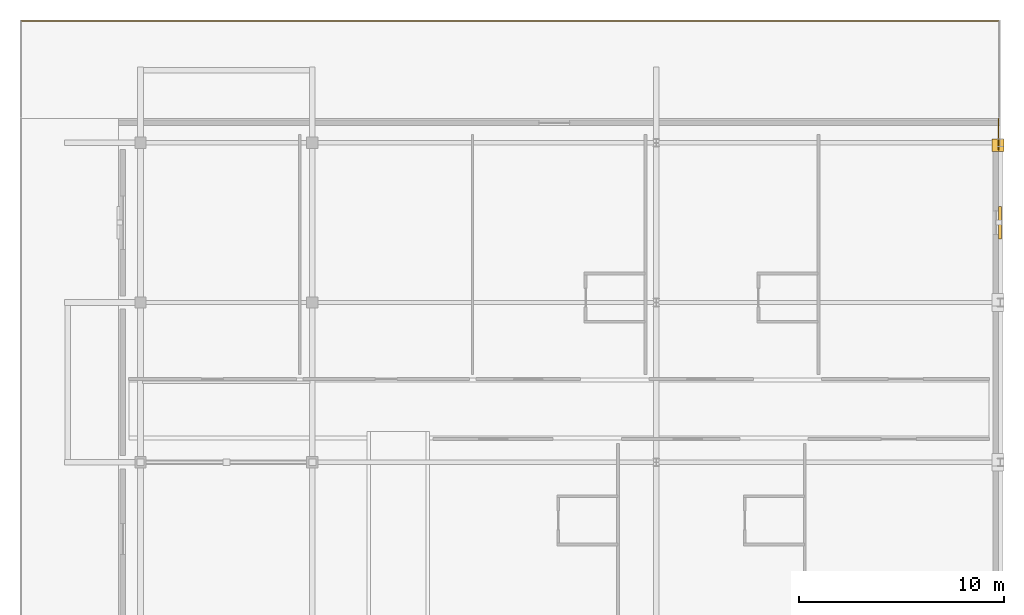
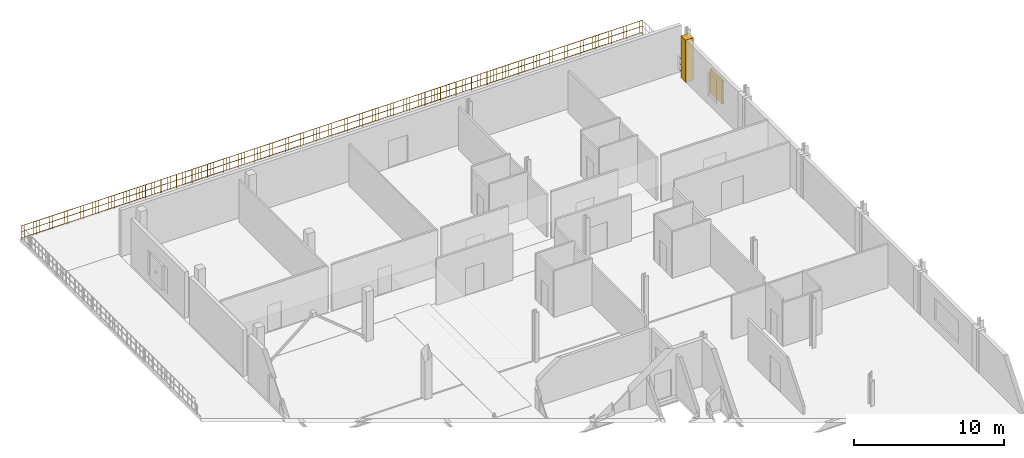
# One storey, part 15 of 16: 2 railings, 1 covering, 1 shading device.
"""IFC4 building model written with IfcOpenShell, lengths in metres."""

from ifc_helpers import new_model, si_unit, direction, frame, origin, origin_2d, place, context, subcontext, project, spatial, polyline, rectangle, circle, outline, extrude, material, layer, layer_set, type_object, element, save


model = new_model("IFC4")

# Units and contexts
model_context = context("Model", 3, precision=1e-05, world=origin(), true_north=direction((0.0, 1.0)))
body_context = subcontext(model_context, "Body", "Model", "MODEL_VIEW")
ifc_project = project(units=[si_unit("LENGTHUNIT", "METRE"), si_unit("AREAUNIT", "SQUARE_METRE"), si_unit("VOLUMEUNIT", "CUBIC_METRE"), si_unit("PLANEANGLEUNIT", "RADIAN"), si_unit("MASSUNIT", "GRAM", prefix="KILO")], contexts=[model_context])

# Site, building, storey
site_placement = place(None, origin())
site = spatial("IfcSite", under=ifc_project, at=site_placement, CompositionType="ELEMENT")
building_placement = place(site_placement, origin())
building = spatial("IfcBuilding", under=site, at=building_placement, Name="Nabrawat Pavilion Hospital", CompositionType="ELEMENT")
storey_placement = place(building_placement, frame((0.0, 0.0, 31.050048828125)))
storey = spatial("IfcBuildingStorey", under=building, at=storey_placement, Name="L07", CompositionType="ELEMENT", Elevation=31.050048828125)

# Covering
ifc_material_1 = material(Name="Precast concrete C40/50", Category="concrete")
ifc_layer_1 = layer(ifc_material_1, 0.360107421875, Name="Precast concrete C40/50")
ifc_layer_set_1 = layer_set([ifc_layer_1], Name="Precast concrete C40/50")
covering_type = type_object("IfcCoveringType", Name="Architectural Precast Column-Jamb Closure Reveal", PredefinedType="CLADDING", material=ifc_layer_set_1)
covering_placement = place(storey_placement, origin())
element("IfcCovering", 1, at=covering_placement, inside=storey, type_object=covering_type, Name="L07 Precast Facade Column-Jamb Weatherseal Closure 0666", PredefinedType="CLADDING", context=body_context, shape_type="SweptSolid", body=[
    extrude(outline(polyline([(193.3798828125, 108.77001953125), (193.3798828125, 109.3798828125), (192.800048828125, 109.3798828125), (192.800048828125, 108.77001953125), (193.3798828125, 108.77001953125)])), origin(), (0.0, 0.0, 1.0), 3.43994140625),
])

# Railings
ifc_material_2 = material(Name="Stainless Steel 316", Category="steel")
ifc_layer_2 = layer(ifc_material_2, 0.070068359375, Name="Stainless Steel 316")
ifc_layer_set_2 = layer_set([ifc_layer_2], Name="Stainless Steel 316")
railing_type = type_object("IfcRailingType", Name="Exterior Clinical Terrace Safety Guardrail 1100", PredefinedType="GUARDRAIL", material=ifc_layer_set_2)
railing_1_placement = place(storey_placement, frame((145.3798828125, 115.139892578125, 0.0)))
element("IfcRailing", 2, at=railing_1_placement, inside=storey, type_object=railing_type, Name="L07 Terrace Edge Safety Guardrail T_L07_WARD_NORTH North", PredefinedType="GUARDRAIL", context=body_context, shape_type="SweptSolid", body=[
    extrude(circle(Radius=0.02392578125, at=origin_2d()), frame((0.0, 0.0, 1.076171875), z_axis=(1.0, 0.0, 0.0), x_axis=(0.0, 1.0, 0.0)), (0.0, 0.0, 1.0), 47.760009765625),
    extrude(circle(Radius=0.02392578125, at=origin_2d()), frame((0.0, 0.0, 0.10009765625), z_axis=(1.0, 0.0, 0.0), x_axis=(0.0, 1.0, 0.0)), (0.0, 0.0, 1.0), 47.760009765625),
    extrude(circle(Radius=0.02392578125, at=origin_2d()), frame((0.0, 0.0, 0.60498046875), z_axis=(1.0, 0.0, 0.0), x_axis=(0.0, 1.0, 0.0)), (0.0, 0.0, 1.0), 47.760009765625),
    extrude(circle(Radius=0.008056640625, at=origin_2d()), frame((0.23876953125, 0.0, 0.10009765625)), (0.0, 0.0, 1.0), 0.951904296875),
    extrude(circle(Radius=0.008056640625, at=origin_2d()), frame((0.4775390625, 0.0, 0.10009765625)), (0.0, 0.0, 1.0), 0.951904296875),
    extrude(circle(Radius=0.008056640625, at=origin_2d()), frame((0.71630859375, 0.0, 0.10009765625)), (0.0, 0.0, 1.0), 0.951904296875),
    extrude(circle(Radius=0.008056640625, at=origin_2d()), frame((0.955078125, 0.0, 0.10009765625)), (0.0, 0.0, 1.0), 0.951904296875),
    extrude(circle(Radius=0.008056640625, at=origin_2d()), frame((1.432861328125, 0.0, 0.10009765625)), (0.0, 0.0, 1.0), 0.951904296875),
    extrude(circle(Radius=0.008056640625, at=origin_2d()), frame((1.671630859375, 0.0, 0.10009765625)), (0.0, 0.0, 1.0), 0.951904296875),
    extrude(circle(Radius=0.008056640625, at=origin_2d()), frame((1.910400390625, 0.0, 0.10009765625)), (0.0, 0.0, 1.0), 0.951904296875),
    extrude(circle(Radius=0.008056640625, at=origin_2d()), frame((2.149169921875, 0.0, 0.10009765625)), (0.0, 0.0, 1.0), 0.951904296875),
    extrude(circle(Radius=0.008056640625, at=origin_2d()), frame((2.626708984375, 0.0, 0.10009765625)), (0.0, 0.0, 1.0), 0.951904296875),
    extrude(circle(Radius=0.008056640625, at=origin_2d()), frame((2.86572265625, 0.0, 0.10009765625)), (0.0, 0.0, 1.0), 0.951904296875),
    extrude(circle(Radius=0.008056640625, at=origin_2d()), frame((3.1044921875, 0.0, 0.10009765625)), (0.0, 0.0, 1.0), 0.951904296875),
    extrude(circle(Radius=0.008056640625, at=origin_2d()), frame((3.34326171875, 0.0, 0.10009765625)), (0.0, 0.0, 1.0), 0.951904296875),
    extrude(circle(Radius=0.008056640625, at=origin_2d()), frame((3.82080078125, 0.0, 0.10009765625)), (0.0, 0.0, 1.0), 0.951904296875),
    extrude(circle(Radius=0.008056640625, at=origin_2d()), frame((4.0595703125, 0.0, 0.10009765625)), (0.0, 0.0, 1.0), 0.951904296875),
    extrude(circle(Radius=0.008056640625, at=origin_2d()), frame((4.29833984375, 0.0, 0.10009765625)), (0.0, 0.0, 1.0), 0.951904296875),
    extrude(circle(Radius=0.008056640625, at=origin_2d()), frame((4.537109375, 0.0, 0.10009765625)), (0.0, 0.0, 1.0), 0.951904296875),
    extrude(circle(Radius=0.008056640625, at=origin_2d()), frame((5.014892578125, 0.0, 0.10009765625)), (0.0, 0.0, 1.0), 0.951904296875),
    extrude(circle(Radius=0.008056640625, at=origin_2d()), frame((5.253662109375, 0.0, 0.10009765625)), (0.0, 0.0, 1.0), 0.951904296875),
    extrude(circle(Radius=0.008056640625, at=origin_2d()), frame((5.492431640625, 0.0, 0.10009765625)), (0.0, 0.0, 1.0), 0.951904296875),
    extrude(circle(Radius=0.008056640625, at=origin_2d()), frame((5.731201171875, 0.0, 0.10009765625)), (0.0, 0.0, 1.0), 0.951904296875),
    extrude(circle(Radius=0.008056640625, at=origin_2d()), frame((6.208740234375, 0.0, 0.10009765625)), (0.0, 0.0, 1.0), 0.951904296875),
    extrude(circle(Radius=0.008056640625, at=origin_2d()), frame((6.447509765625, 0.0, 0.10009765625)), (0.0, 0.0, 1.0), 0.951904296875),
    extrude(circle(Radius=0.008056640625, at=origin_2d()), frame((6.6865234375, 0.0, 0.10009765625)), (0.0, 0.0, 1.0), 0.951904296875),
    extrude(circle(Radius=0.008056640625, at=origin_2d()), frame((6.92529296875, 0.0, 0.10009765625)), (0.0, 0.0, 1.0), 0.951904296875),
    extrude(circle(Radius=0.008056640625, at=origin_2d()), frame((7.40283203125, 0.0, 0.10009765625)), (0.0, 0.0, 1.0), 0.951904296875),
    extrude(circle(Radius=0.008056640625, at=origin_2d()), frame((7.6416015625, 0.0, 0.10009765625)), (0.0, 0.0, 1.0), 0.951904296875),
    extrude(circle(Radius=0.008056640625, at=origin_2d()), frame((7.88037109375, 0.0, 0.10009765625)), (0.0, 0.0, 1.0), 0.951904296875),
    extrude(circle(Radius=0.008056640625, at=origin_2d()), frame((8.119140625, 0.0, 0.10009765625)), (0.0, 0.0, 1.0), 0.951904296875),
    extrude(circle(Radius=0.008056640625, at=origin_2d()), frame((8.5966796875, 0.0, 0.10009765625)), (0.0, 0.0, 1.0), 0.951904296875),
    extrude(circle(Radius=0.008056640625, at=origin_2d()), frame((8.835693359375, 0.0, 0.10009765625)), (0.0, 0.0, 1.0), 0.951904296875),
    extrude(circle(Radius=0.008056640625, at=origin_2d()), frame((9.074462890625, 0.0, 0.10009765625)), (0.0, 0.0, 1.0), 0.951904296875),
    extrude(circle(Radius=0.008056640625, at=origin_2d()), frame((9.313232421875, 0.0, 0.10009765625)), (0.0, 0.0, 1.0), 0.951904296875),
    extrude(circle(Radius=0.008056640625, at=origin_2d()), frame((9.790771484375, 0.0, 0.10009765625)), (0.0, 0.0, 1.0), 0.951904296875),
    extrude(circle(Radius=0.008056640625, at=origin_2d()), frame((10.029541015625, 0.0, 0.10009765625)), (0.0, 0.0, 1.0), 0.951904296875),
    extrude(circle(Radius=0.008056640625, at=origin_2d()), frame((10.268310546875, 0.0, 0.10009765625)), (0.0, 0.0, 1.0), 0.951904296875),
    extrude(circle(Radius=0.008056640625, at=origin_2d()), frame((10.50732421875, 0.0, 0.10009765625)), (0.0, 0.0, 1.0), 0.951904296875),
    extrude(circle(Radius=0.008056640625, at=origin_2d()), frame((10.98486328125, 0.0, 0.10009765625)), (0.0, 0.0, 1.0), 0.951904296875),
    extrude(circle(Radius=0.008056640625, at=origin_2d()), frame((11.2236328125, 0.0, 0.10009765625)), (0.0, 0.0, 1.0), 0.951904296875),
    extrude(circle(Radius=0.008056640625, at=origin_2d()), frame((11.46240234375, 0.0, 0.10009765625)), (0.0, 0.0, 1.0), 0.951904296875),
    extrude(circle(Radius=0.008056640625, at=origin_2d()), frame((11.701171875, 0.0, 0.10009765625)), (0.0, 0.0, 1.0), 0.951904296875),
    extrude(circle(Radius=0.008056640625, at=origin_2d()), frame((12.1787109375, 0.0, 0.10009765625)), (0.0, 0.0, 1.0), 0.951904296875),
    extrude(circle(Radius=0.008056640625, at=origin_2d()), frame((12.41748046875, 0.0, 0.10009765625)), (0.0, 0.0, 1.0), 0.951904296875),
    extrude(circle(Radius=0.008056640625, at=origin_2d()), frame((12.656494140625, 0.0, 0.10009765625)), (0.0, 0.0, 1.0), 0.951904296875),
    extrude(circle(Radius=0.008056640625, at=origin_2d()), frame((12.895263671875, 0.0, 0.10009765625)), (0.0, 0.0, 1.0), 0.951904296875),
    extrude(circle(Radius=0.008056640625, at=origin_2d()), frame((13.372802734375, 0.0, 0.10009765625)), (0.0, 0.0, 1.0), 0.951904296875),
    extrude(circle(Radius=0.008056640625, at=origin_2d()), frame((13.611572265625, 0.0, 0.10009765625)), (0.0, 0.0, 1.0), 0.951904296875),
    extrude(circle(Radius=0.008056640625, at=origin_2d()), frame((13.850341796875, 0.0, 0.10009765625)), (0.0, 0.0, 1.0), 0.951904296875),
    extrude(circle(Radius=0.008056640625, at=origin_2d()), frame((14.089111328125, 0.0, 0.10009765625)), (0.0, 0.0, 1.0), 0.951904296875),
    extrude(circle(Radius=0.008056640625, at=origin_2d()), frame((14.56689453125, 0.0, 0.10009765625)), (0.0, 0.0, 1.0), 0.951904296875),
    extrude(circle(Radius=0.008056640625, at=origin_2d()), frame((14.8056640625, 0.0, 0.10009765625)), (0.0, 0.0, 1.0), 0.951904296875),
    extrude(circle(Radius=0.008056640625, at=origin_2d()), frame((15.04443359375, 0.0, 0.10009765625)), (0.0, 0.0, 1.0), 0.951904296875),
    extrude(circle(Radius=0.008056640625, at=origin_2d()), frame((15.283203125, 0.0, 0.10009765625)), (0.0, 0.0, 1.0), 0.951904296875),
    extrude(circle(Radius=0.008056640625, at=origin_2d()), frame((15.7607421875, 0.0, 0.10009765625)), (0.0, 0.0, 1.0), 0.951904296875),
    extrude(circle(Radius=0.008056640625, at=origin_2d()), frame((15.99951171875, 0.0, 0.10009765625)), (0.0, 0.0, 1.0), 0.951904296875),
    extrude(circle(Radius=0.008056640625, at=origin_2d()), frame((16.23828125, 0.0, 0.10009765625)), (0.0, 0.0, 1.0), 0.951904296875),
    extrude(circle(Radius=0.008056640625, at=origin_2d()), frame((16.477294921875, 0.0, 0.10009765625)), (0.0, 0.0, 1.0), 0.951904296875),
    extrude(circle(Radius=0.008056640625, at=origin_2d()), frame((16.954833984375, 0.0, 0.10009765625)), (0.0, 0.0, 1.0), 0.951904296875),
    extrude(circle(Radius=0.008056640625, at=origin_2d()), frame((17.193603515625, 0.0, 0.10009765625)), (0.0, 0.0, 1.0), 0.951904296875),
    extrude(circle(Radius=0.008056640625, at=origin_2d()), frame((17.432373046875, 0.0, 0.10009765625)), (0.0, 0.0, 1.0), 0.951904296875),
    extrude(circle(Radius=0.008056640625, at=origin_2d()), frame((17.671142578125, 0.0, 0.10009765625)), (0.0, 0.0, 1.0), 0.951904296875),
    extrude(circle(Radius=0.008056640625, at=origin_2d()), frame((18.14892578125, 0.0, 0.10009765625)), (0.0, 0.0, 1.0), 0.951904296875),
    extrude(circle(Radius=0.008056640625, at=origin_2d()), frame((18.3876953125, 0.0, 0.10009765625)), (0.0, 0.0, 1.0), 0.951904296875),
    extrude(circle(Radius=0.008056640625, at=origin_2d()), frame((18.62646484375, 0.0, 0.10009765625)), (0.0, 0.0, 1.0), 0.951904296875),
    extrude(circle(Radius=0.008056640625, at=origin_2d()), frame((18.865234375, 0.0, 0.10009765625)), (0.0, 0.0, 1.0), 0.951904296875),
    extrude(circle(Radius=0.008056640625, at=origin_2d()), frame((19.3427734375, 0.0, 0.10009765625)), (0.0, 0.0, 1.0), 0.951904296875),
    extrude(circle(Radius=0.008056640625, at=origin_2d()), frame((19.58154296875, 0.0, 0.10009765625)), (0.0, 0.0, 1.0), 0.951904296875),
    extrude(circle(Radius=0.008056640625, at=origin_2d()), frame((19.8203125, 0.0, 0.10009765625)), (0.0, 0.0, 1.0), 0.951904296875),
    extrude(circle(Radius=0.008056640625, at=origin_2d()), frame((20.05908203125, 0.0, 0.10009765625)), (0.0, 0.0, 1.0), 0.951904296875),
    extrude(circle(Radius=0.008056640625, at=origin_2d()), frame((20.536865234375, 0.0, 0.10009765625)), (0.0, 0.0, 1.0), 0.951904296875),
    extrude(circle(Radius=0.008056640625, at=origin_2d()), frame((20.775634765625, 0.0, 0.10009765625)), (0.0, 0.0, 1.0), 0.951904296875),
    extrude(circle(Radius=0.008056640625, at=origin_2d()), frame((21.014404296875, 0.0, 0.10009765625)), (0.0, 0.0, 1.0), 0.951904296875),
    extrude(circle(Radius=0.008056640625, at=origin_2d()), frame((21.253173828125, 0.0, 0.10009765625)), (0.0, 0.0, 1.0), 0.951904296875),
    extrude(circle(Radius=0.008056640625, at=origin_2d()), frame((21.730712890625, 0.0, 0.10009765625)), (0.0, 0.0, 1.0), 0.951904296875),
    extrude(circle(Radius=0.008056640625, at=origin_2d()), frame((21.9697265625, 0.0, 0.10009765625)), (0.0, 0.0, 1.0), 0.951904296875),
    extrude(circle(Radius=0.008056640625, at=origin_2d()), frame((22.20849609375, 0.0, 0.10009765625)), (0.0, 0.0, 1.0), 0.951904296875),
    extrude(circle(Radius=0.008056640625, at=origin_2d()), frame((22.447265625, 0.0, 0.10009765625)), (0.0, 0.0, 1.0), 0.951904296875),
    extrude(circle(Radius=0.008056640625, at=origin_2d()), frame((22.9248046875, 0.0, 0.10009765625)), (0.0, 0.0, 1.0), 0.951904296875),
    extrude(circle(Radius=0.008056640625, at=origin_2d()), frame((23.16357421875, 0.0, 0.10009765625)), (0.0, 0.0, 1.0), 0.951904296875),
    extrude(circle(Radius=0.008056640625, at=origin_2d()), frame((23.40234375, 0.0, 0.10009765625)), (0.0, 0.0, 1.0), 0.951904296875),
    extrude(circle(Radius=0.008056640625, at=origin_2d()), frame((23.64111328125, 0.0, 0.10009765625)), (0.0, 0.0, 1.0), 0.951904296875),
    extrude(circle(Radius=0.008056640625, at=origin_2d()), frame((24.118896484375, 0.0, 0.10009765625)), (0.0, 0.0, 1.0), 0.951904296875),
    extrude(circle(Radius=0.008056640625, at=origin_2d()), frame((24.357666015625, 0.0, 0.10009765625)), (0.0, 0.0, 1.0), 0.951904296875),
    extrude(circle(Radius=0.008056640625, at=origin_2d()), frame((24.596435546875, 0.0, 0.10009765625)), (0.0, 0.0, 1.0), 0.951904296875),
    extrude(circle(Radius=0.008056640625, at=origin_2d()), frame((24.835205078125, 0.0, 0.10009765625)), (0.0, 0.0, 1.0), 0.951904296875),
    extrude(circle(Radius=0.008056640625, at=origin_2d()), frame((25.312744140625, 0.0, 0.10009765625)), (0.0, 0.0, 1.0), 0.951904296875),
    extrude(circle(Radius=0.008056640625, at=origin_2d()), frame((25.551513671875, 0.0, 0.10009765625)), (0.0, 0.0, 1.0), 0.951904296875),
    extrude(circle(Radius=0.008056640625, at=origin_2d()), frame((25.79052734375, 0.0, 0.10009765625)), (0.0, 0.0, 1.0), 0.951904296875),
    extrude(circle(Radius=0.008056640625, at=origin_2d()), frame((26.029296875, 0.0, 0.10009765625)), (0.0, 0.0, 1.0), 0.951904296875),
    extrude(circle(Radius=0.008056640625, at=origin_2d()), frame((26.5068359375, 0.0, 0.10009765625)), (0.0, 0.0, 1.0), 0.951904296875),
    extrude(circle(Radius=0.008056640625, at=origin_2d()), frame((26.74560546875, 0.0, 0.10009765625)), (0.0, 0.0, 1.0), 0.951904296875),
    extrude(circle(Radius=0.008056640625, at=origin_2d()), frame((26.984375, 0.0, 0.10009765625)), (0.0, 0.0, 1.0), 0.951904296875),
    extrude(circle(Radius=0.008056640625, at=origin_2d()), frame((27.22314453125, 0.0, 0.10009765625)), (0.0, 0.0, 1.0), 0.951904296875),
    extrude(circle(Radius=0.008056640625, at=origin_2d()), frame((27.70068359375, 0.0, 0.10009765625)), (0.0, 0.0, 1.0), 0.951904296875),
    extrude(circle(Radius=0.008056640625, at=origin_2d()), frame((27.939697265625, 0.0, 0.10009765625)), (0.0, 0.0, 1.0), 0.951904296875),
    extrude(circle(Radius=0.008056640625, at=origin_2d()), frame((28.178466796875, 0.0, 0.10009765625)), (0.0, 0.0, 1.0), 0.951904296875),
    extrude(circle(Radius=0.008056640625, at=origin_2d()), frame((28.417236328125, 0.0, 0.10009765625)), (0.0, 0.0, 1.0), 0.951904296875),
    extrude(circle(Radius=0.008056640625, at=origin_2d()), frame((28.894775390625, 0.0, 0.10009765625)), (0.0, 0.0, 1.0), 0.951904296875),
    extrude(circle(Radius=0.008056640625, at=origin_2d()), frame((29.133544921875, 0.0, 0.10009765625)), (0.0, 0.0, 1.0), 0.951904296875),
    extrude(circle(Radius=0.008056640625, at=origin_2d()), frame((29.372314453125, 0.0, 0.10009765625)), (0.0, 0.0, 1.0), 0.951904296875),
    extrude(circle(Radius=0.008056640625, at=origin_2d()), frame((29.611328125, 0.0, 0.10009765625)), (0.0, 0.0, 1.0), 0.951904296875),
    extrude(circle(Radius=0.008056640625, at=origin_2d()), frame((30.0888671875, 0.0, 0.10009765625)), (0.0, 0.0, 1.0), 0.951904296875),
    extrude(circle(Radius=0.008056640625, at=origin_2d()), frame((30.32763671875, 0.0, 0.10009765625)), (0.0, 0.0, 1.0), 0.951904296875),
    extrude(circle(Radius=0.008056640625, at=origin_2d()), frame((30.56640625, 0.0, 0.10009765625)), (0.0, 0.0, 1.0), 0.951904296875),
    extrude(circle(Radius=0.008056640625, at=origin_2d()), frame((30.80517578125, 0.0, 0.10009765625)), (0.0, 0.0, 1.0), 0.951904296875),
    extrude(circle(Radius=0.008056640625, at=origin_2d()), frame((31.28271484375, 0.0, 0.10009765625)), (0.0, 0.0, 1.0), 0.951904296875),
    extrude(circle(Radius=0.008056640625, at=origin_2d()), frame((31.521484375, 0.0, 0.10009765625)), (0.0, 0.0, 1.0), 0.951904296875),
    extrude(circle(Radius=0.008056640625, at=origin_2d()), frame((31.760498046875, 0.0, 0.10009765625)), (0.0, 0.0, 1.0), 0.951904296875),
    extrude(circle(Radius=0.008056640625, at=origin_2d()), frame((31.999267578125, 0.0, 0.10009765625)), (0.0, 0.0, 1.0), 0.951904296875),
    extrude(circle(Radius=0.008056640625, at=origin_2d()), frame((32.476806640625, 0.0, 0.10009765625)), (0.0, 0.0, 1.0), 0.951904296875),
    extrude(circle(Radius=0.008056640625, at=origin_2d()), frame((32.715576171875, 0.0, 0.10009765625)), (0.0, 0.0, 1.0), 0.951904296875),
    extrude(circle(Radius=0.008056640625, at=origin_2d()), frame((32.954345703125, 0.0, 0.10009765625)), (0.0, 0.0, 1.0), 0.951904296875),
    extrude(circle(Radius=0.008056640625, at=origin_2d()), frame((33.193115234375, 0.0, 0.10009765625)), (0.0, 0.0, 1.0), 0.951904296875),
    extrude(circle(Radius=0.008056640625, at=origin_2d()), frame((33.6708984375, 0.0, 0.10009765625)), (0.0, 0.0, 1.0), 0.951904296875),
    extrude(circle(Radius=0.008056640625, at=origin_2d()), frame((33.90966796875, 0.0, 0.10009765625)), (0.0, 0.0, 1.0), 0.951904296875),
    extrude(circle(Radius=0.008056640625, at=origin_2d()), frame((34.1484375, 0.0, 0.10009765625)), (0.0, 0.0, 1.0), 0.951904296875),
    extrude(circle(Radius=0.008056640625, at=origin_2d()), frame((34.38720703125, 0.0, 0.10009765625)), (0.0, 0.0, 1.0), 0.951904296875),
    extrude(circle(Radius=0.008056640625, at=origin_2d()), frame((34.86474609375, 0.0, 0.10009765625)), (0.0, 0.0, 1.0), 0.951904296875),
    extrude(circle(Radius=0.008056640625, at=origin_2d()), frame((35.103515625, 0.0, 0.10009765625)), (0.0, 0.0, 1.0), 0.951904296875),
    extrude(circle(Radius=0.008056640625, at=origin_2d()), frame((35.34228515625, 0.0, 0.10009765625)), (0.0, 0.0, 1.0), 0.951904296875),
    extrude(circle(Radius=0.008056640625, at=origin_2d()), frame((35.581298828125, 0.0, 0.10009765625)), (0.0, 0.0, 1.0), 0.951904296875),
    extrude(circle(Radius=0.008056640625, at=origin_2d()), frame((36.058837890625, 0.0, 0.10009765625)), (0.0, 0.0, 1.0), 0.951904296875),
    extrude(circle(Radius=0.008056640625, at=origin_2d()), frame((36.297607421875, 0.0, 0.10009765625)), (0.0, 0.0, 1.0), 0.951904296875),
    extrude(circle(Radius=0.008056640625, at=origin_2d()), frame((36.536376953125, 0.0, 0.10009765625)), (0.0, 0.0, 1.0), 0.951904296875),
    extrude(circle(Radius=0.008056640625, at=origin_2d()), frame((36.775146484375, 0.0, 0.10009765625)), (0.0, 0.0, 1.0), 0.951904296875),
    extrude(circle(Radius=0.008056640625, at=origin_2d()), frame((37.2529296875, 0.0, 0.10009765625)), (0.0, 0.0, 1.0), 0.951904296875),
    extrude(circle(Radius=0.008056640625, at=origin_2d()), frame((37.49169921875, 0.0, 0.10009765625)), (0.0, 0.0, 1.0), 0.951904296875),
    extrude(circle(Radius=0.008056640625, at=origin_2d()), frame((37.73046875, 0.0, 0.10009765625)), (0.0, 0.0, 1.0), 0.951904296875),
    extrude(circle(Radius=0.008056640625, at=origin_2d()), frame((37.96923828125, 0.0, 0.10009765625)), (0.0, 0.0, 1.0), 0.951904296875),
    extrude(circle(Radius=0.008056640625, at=origin_2d()), frame((38.44677734375, 0.0, 0.10009765625)), (0.0, 0.0, 1.0), 0.951904296875),
    extrude(circle(Radius=0.008056640625, at=origin_2d()), frame((38.685546875, 0.0, 0.10009765625)), (0.0, 0.0, 1.0), 0.951904296875),
    extrude(circle(Radius=0.008056640625, at=origin_2d()), frame((38.92431640625, 0.0, 0.10009765625)), (0.0, 0.0, 1.0), 0.951904296875),
    extrude(circle(Radius=0.008056640625, at=origin_2d()), frame((39.1630859375, 0.0, 0.10009765625)), (0.0, 0.0, 1.0), 0.951904296875),
    extrude(circle(Radius=0.008056640625, at=origin_2d()), frame((39.640869140625, 0.0, 0.10009765625)), (0.0, 0.0, 1.0), 0.951904296875),
    extrude(circle(Radius=0.008056640625, at=origin_2d()), frame((39.879638671875, 0.0, 0.10009765625)), (0.0, 0.0, 1.0), 0.951904296875),
    extrude(circle(Radius=0.008056640625, at=origin_2d()), frame((40.118408203125, 0.0, 0.10009765625)), (0.0, 0.0, 1.0), 0.951904296875),
    extrude(circle(Radius=0.008056640625, at=origin_2d()), frame((40.357177734375, 0.0, 0.10009765625)), (0.0, 0.0, 1.0), 0.951904296875),
    extrude(circle(Radius=0.008056640625, at=origin_2d()), frame((40.834716796875, 0.0, 0.10009765625)), (0.0, 0.0, 1.0), 0.951904296875),
    extrude(circle(Radius=0.008056640625, at=origin_2d()), frame((41.07373046875, 0.0, 0.10009765625)), (0.0, 0.0, 1.0), 0.951904296875),
    extrude(circle(Radius=0.008056640625, at=origin_2d()), frame((41.3125, 0.0, 0.10009765625)), (0.0, 0.0, 1.0), 0.951904296875),
    extrude(circle(Radius=0.008056640625, at=origin_2d()), frame((41.55126953125, 0.0, 0.10009765625)), (0.0, 0.0, 1.0), 0.951904296875),
    extrude(circle(Radius=0.008056640625, at=origin_2d()), frame((42.02880859375, 0.0, 0.10009765625)), (0.0, 0.0, 1.0), 0.951904296875),
    extrude(circle(Radius=0.008056640625, at=origin_2d()), frame((42.267578125, 0.0, 0.10009765625)), (0.0, 0.0, 1.0), 0.951904296875),
    extrude(circle(Radius=0.008056640625, at=origin_2d()), frame((42.50634765625, 0.0, 0.10009765625)), (0.0, 0.0, 1.0), 0.951904296875),
    extrude(circle(Radius=0.008056640625, at=origin_2d()), frame((42.7451171875, 0.0, 0.10009765625)), (0.0, 0.0, 1.0), 0.951904296875),
    extrude(circle(Radius=0.008056640625, at=origin_2d()), frame((43.222900390625, 0.0, 0.10009765625)), (0.0, 0.0, 1.0), 0.951904296875),
    extrude(circle(Radius=0.008056640625, at=origin_2d()), frame((43.461669921875, 0.0, 0.10009765625)), (0.0, 0.0, 1.0), 0.951904296875),
    extrude(circle(Radius=0.008056640625, at=origin_2d()), frame((43.700439453125, 0.0, 0.10009765625)), (0.0, 0.0, 1.0), 0.951904296875),
    extrude(circle(Radius=0.008056640625, at=origin_2d()), frame((43.939208984375, 0.0, 0.10009765625)), (0.0, 0.0, 1.0), 0.951904296875),
    extrude(circle(Radius=0.008056640625, at=origin_2d()), frame((44.416748046875, 0.0, 0.10009765625)), (0.0, 0.0, 1.0), 0.951904296875),
    extrude(circle(Radius=0.008056640625, at=origin_2d()), frame((44.655517578125, 0.0, 0.10009765625)), (0.0, 0.0, 1.0), 0.951904296875),
    extrude(circle(Radius=0.008056640625, at=origin_2d()), frame((44.89453125, 0.0, 0.10009765625)), (0.0, 0.0, 1.0), 0.951904296875),
    extrude(circle(Radius=0.008056640625, at=origin_2d()), frame((45.13330078125, 0.0, 0.10009765625)), (0.0, 0.0, 1.0), 0.951904296875),
    extrude(circle(Radius=0.008056640625, at=origin_2d()), frame((45.61083984375, 0.0, 0.10009765625)), (0.0, 0.0, 1.0), 0.951904296875),
    extrude(circle(Radius=0.008056640625, at=origin_2d()), frame((45.849609375, 0.0, 0.10009765625)), (0.0, 0.0, 1.0), 0.951904296875),
    extrude(circle(Radius=0.008056640625, at=origin_2d()), frame((46.08837890625, 0.0, 0.10009765625)), (0.0, 0.0, 1.0), 0.951904296875),
    extrude(circle(Radius=0.008056640625, at=origin_2d()), frame((46.3271484375, 0.0, 0.10009765625)), (0.0, 0.0, 1.0), 0.951904296875),
    extrude(circle(Radius=0.008056640625, at=origin_2d()), frame((46.8046875, 0.0, 0.10009765625)), (0.0, 0.0, 1.0), 0.951904296875),
    extrude(circle(Radius=0.008056640625, at=origin_2d()), frame((47.043701171875, 0.0, 0.10009765625)), (0.0, 0.0, 1.0), 0.951904296875),
    extrude(circle(Radius=0.008056640625, at=origin_2d()), frame((47.282470703125, 0.0, 0.10009765625)), (0.0, 0.0, 1.0), 0.951904296875),
    extrude(circle(Radius=0.008056640625, at=origin_2d()), frame((47.521240234375, 0.0, 0.10009765625)), (0.0, 0.0, 1.0), 0.951904296875),
    extrude(circle(Radius=0.02099609375, at=origin_2d()), origin(), (0.0, 0.0, 1.0), 1.052001953125),
    extrude(circle(Radius=0.02099609375, at=origin_2d()), frame((1.194091796875, 0.0, 0.0)), (0.0, 0.0, 1.0), 1.052001953125),
    extrude(circle(Radius=0.02099609375, at=origin_2d()), frame((2.387939453125, 0.0, 0.0)), (0.0, 0.0, 1.0), 1.052001953125),
    extrude(circle(Radius=0.02099609375, at=origin_2d()), frame((3.58203125, 0.0, 0.0)), (0.0, 0.0, 1.0), 1.052001953125),
    extrude(circle(Radius=0.02099609375, at=origin_2d()), frame((4.77587890625, 0.0, 0.0)), (0.0, 0.0, 1.0), 1.052001953125),
    extrude(circle(Radius=0.02099609375, at=origin_2d()), frame((5.969970703125, 0.0, 0.0)), (0.0, 0.0, 1.0), 1.052001953125),
    extrude(circle(Radius=0.02099609375, at=origin_2d()), frame((7.1640625, 0.0, 0.0)), (0.0, 0.0, 1.0), 1.052001953125),
    extrude(circle(Radius=0.02099609375, at=origin_2d()), frame((8.35791015625, 0.0, 0.0)), (0.0, 0.0, 1.0), 1.052001953125),
    extrude(circle(Radius=0.02099609375, at=origin_2d()), frame((9.552001953125, 0.0, 0.0)), (0.0, 0.0, 1.0), 1.052001953125),
    extrude(circle(Radius=0.02099609375, at=origin_2d()), frame((10.74609375, 0.0, 0.0)), (0.0, 0.0, 1.0), 1.052001953125),
    extrude(circle(Radius=0.02099609375, at=origin_2d()), frame((11.93994140625, 0.0, 0.0)), (0.0, 0.0, 1.0), 1.052001953125),
    extrude(circle(Radius=0.02099609375, at=origin_2d()), frame((13.134033203125, 0.0, 0.0)), (0.0, 0.0, 1.0), 1.052001953125),
    extrude(circle(Radius=0.02099609375, at=origin_2d()), frame((14.328125, 0.0, 0.0)), (0.0, 0.0, 1.0), 1.052001953125),
    extrude(circle(Radius=0.02099609375, at=origin_2d()), frame((15.52197265625, 0.0, 0.0)), (0.0, 0.0, 1.0), 1.052001953125),
    extrude(circle(Radius=0.02099609375, at=origin_2d()), frame((16.716064453125, 0.0, 0.0)), (0.0, 0.0, 1.0), 1.052001953125),
    extrude(circle(Radius=0.02099609375, at=origin_2d()), frame((17.909912109375, 0.0, 0.0)), (0.0, 0.0, 1.0), 1.052001953125),
    extrude(circle(Radius=0.02099609375, at=origin_2d()), frame((19.10400390625, 0.0, 0.0)), (0.0, 0.0, 1.0), 1.052001953125),
    extrude(circle(Radius=0.02099609375, at=origin_2d()), frame((20.298095703125, 0.0, 0.0)), (0.0, 0.0, 1.0), 1.052001953125),
    extrude(circle(Radius=0.02099609375, at=origin_2d()), frame((21.491943359375, 0.0, 0.0)), (0.0, 0.0, 1.0), 1.052001953125),
    extrude(circle(Radius=0.02099609375, at=origin_2d()), frame((22.68603515625, 0.0, 0.0)), (0.0, 0.0, 1.0), 1.052001953125),
    extrude(circle(Radius=0.02099609375, at=origin_2d()), frame((23.8798828125, 0.0, 0.0)), (0.0, 0.0, 1.0), 1.052001953125),
    extrude(circle(Radius=0.02099609375, at=origin_2d()), frame((25.073974609375, 0.0, 0.0)), (0.0, 0.0, 1.0), 1.052001953125),
    extrude(circle(Radius=0.02099609375, at=origin_2d()), frame((26.26806640625, 0.0, 0.0)), (0.0, 0.0, 1.0), 1.052001953125),
    extrude(circle(Radius=0.02099609375, at=origin_2d()), frame((27.4619140625, 0.0, 0.0)), (0.0, 0.0, 1.0), 1.052001953125),
    extrude(circle(Radius=0.02099609375, at=origin_2d()), frame((28.656005859375, 0.0, 0.0)), (0.0, 0.0, 1.0), 1.052001953125),
    extrude(circle(Radius=0.02099609375, at=origin_2d()), frame((29.85009765625, 0.0, 0.0)), (0.0, 0.0, 1.0), 1.052001953125),
    extrude(circle(Radius=0.02099609375, at=origin_2d()), frame((31.0439453125, 0.0, 0.0)), (0.0, 0.0, 1.0), 1.052001953125),
    extrude(circle(Radius=0.02099609375, at=origin_2d()), frame((32.238037109375, 0.0, 0.0)), (0.0, 0.0, 1.0), 1.052001953125),
    extrude(circle(Radius=0.02099609375, at=origin_2d()), frame((33.43212890625, 0.0, 0.0)), (0.0, 0.0, 1.0), 1.052001953125),
    extrude(circle(Radius=0.02099609375, at=origin_2d()), frame((34.6259765625, 0.0, 0.0)), (0.0, 0.0, 1.0), 1.052001953125),
    extrude(circle(Radius=0.02099609375, at=origin_2d()), frame((35.820068359375, 0.0, 0.0)), (0.0, 0.0, 1.0), 1.052001953125),
    extrude(circle(Radius=0.02099609375, at=origin_2d()), frame((37.013916015625, 0.0, 0.0)), (0.0, 0.0, 1.0), 1.052001953125),
    extrude(circle(Radius=0.02099609375, at=origin_2d()), frame((38.2080078125, 0.0, 0.0)), (0.0, 0.0, 1.0), 1.052001953125),
    extrude(circle(Radius=0.02099609375, at=origin_2d()), frame((39.402099609375, 0.0, 0.0)), (0.0, 0.0, 1.0), 1.052001953125),
    extrude(circle(Radius=0.02099609375, at=origin_2d()), frame((40.595947265625, 0.0, 0.0)), (0.0, 0.0, 1.0), 1.052001953125),
    extrude(circle(Radius=0.02099609375, at=origin_2d()), frame((41.7900390625, 0.0, 0.0)), (0.0, 0.0, 1.0), 1.052001953125),
    extrude(circle(Radius=0.02099609375, at=origin_2d()), frame((42.98388671875, 0.0, 0.0)), (0.0, 0.0, 1.0), 1.052001953125),
    extrude(circle(Radius=0.02099609375, at=origin_2d()), frame((44.177978515625, 0.0, 0.0)), (0.0, 0.0, 1.0), 1.052001953125),
    extrude(circle(Radius=0.02099609375, at=origin_2d()), frame((45.3720703125, 0.0, 0.0)), (0.0, 0.0, 1.0), 1.052001953125),
    extrude(circle(Radius=0.02099609375, at=origin_2d()), frame((46.56591796875, 0.0, 0.0)), (0.0, 0.0, 1.0), 1.052001953125),
    extrude(circle(Radius=0.02099609375, at=origin_2d()), frame((47.760009765625, 0.0, 0.0)), (0.0, 0.0, 1.0), 1.052001953125),
])
railing_2_placement = place(storey_placement, frame((193.1201171875, 108.85009765625, 0.0)))
element("IfcRailing", 3, at=railing_2_placement, inside=storey, type_object=railing_type, Name="L07 North-East Setback Corner Guardrail", PredefinedType="GUARDRAIL", context=body_context, shape_type="SweptSolid", body=[
    extrude(circle(Radius=0.02392578125, at=origin_2d()), frame((0.0, 0.0, 1.09619140625), z_axis=(0.0, 1.0, 0.0), x_axis=(-1.0, 0.0, 0.0)), (0.0, 0.0, 1.0), 1.5498046875),
    extrude(circle(Radius=0.02392578125, at=origin_2d()), frame((0.0, 0.0, 0.10009765625), z_axis=(0.0, 1.0, 0.0), x_axis=(-1.0, 0.0, 0.0)), (0.0, 0.0, 1.0), 1.5498046875),
    extrude(circle(Radius=0.02392578125, at=origin_2d()), frame((0.0, 0.0, 0.615966796875), z_axis=(0.0, 1.0, 0.0), x_axis=(-1.0, 0.0, 0.0)), (0.0, 0.0, 1.0), 1.5498046875),
    extrude(circle(Radius=0.008056640625, at=origin_2d()), frame((0.0, 0.221435546875, 0.10009765625)), (0.0, 0.0, 1.0), 0.971923828125),
    extrude(circle(Radius=0.008056640625, at=origin_2d()), frame((0.0, 0.44287109375, 0.10009765625)), (0.0, 0.0, 1.0), 0.971923828125),
    extrude(circle(Radius=0.008056640625, at=origin_2d()), frame((0.0, 0.664306640625, 0.10009765625)), (0.0, 0.0, 1.0), 0.971923828125),
    extrude(circle(Radius=0.008056640625, at=origin_2d()), frame((0.0, 0.885498046875, 0.10009765625)), (0.0, 0.0, 1.0), 0.971923828125),
    extrude(circle(Radius=0.008056640625, at=origin_2d()), frame((0.0, 1.10693359375, 0.10009765625)), (0.0, 0.0, 1.0), 0.971923828125),
    extrude(circle(Radius=0.008056640625, at=origin_2d()), frame((0.0, 1.328369140625, 0.10009765625)), (0.0, 0.0, 1.0), 0.971923828125),
    extrude(circle(Radius=0.02099609375, at=origin_2d()), origin(), (0.0, 0.0, 1.0), 1.072021484375),
    extrude(circle(Radius=0.02099609375, at=origin_2d()), frame((0.0, 0.77490234375, 0.0)), (0.0, 0.0, 1.0), 1.072021484375),
    extrude(circle(Radius=0.02099609375, at=origin_2d()), frame((0.0, 1.5498046875, 0.0)), (0.0, 0.0, 1.0), 1.072021484375),
])

# Shading device
ifc_layer_3 = layer(ifc_material_1, 2.39990234375, Name="Precast concrete C40/50")
ifc_layer_set_3 = layer_set([ifc_layer_3], Name="Precast concrete C40/50")
shading_device_type = type_object("IfcShadingDeviceType", Name="Perforated GFRC Mashrabiya Solar Fin", PredefinedType="JALOUSIE", material=ifc_layer_set_3)
shading_device_placement = place(storey_placement, frame((193.18994140625, 105.300048828125, 0.7001953125), z_axis=(0.0, 0.0, 1.0), x_axis=(0.0, 1.0, 0.0)))
element("IfcShadingDevice", 4, at=shading_device_placement, inside=storey, type_object=shading_device_type, Name="L07 Perforated GFRC Mashrabiya Screen 021", PredefinedType="JALOUSIE", context=body_context, shape_type="SweptSolid", body=[
    extrude(rectangle(XDim=1.60009765625, YDim=0.139892578125, at=origin_2d()), origin(), (0.0, 0.0, 1.0), 1.949951171875),
])

save(model, "model.ifc")
